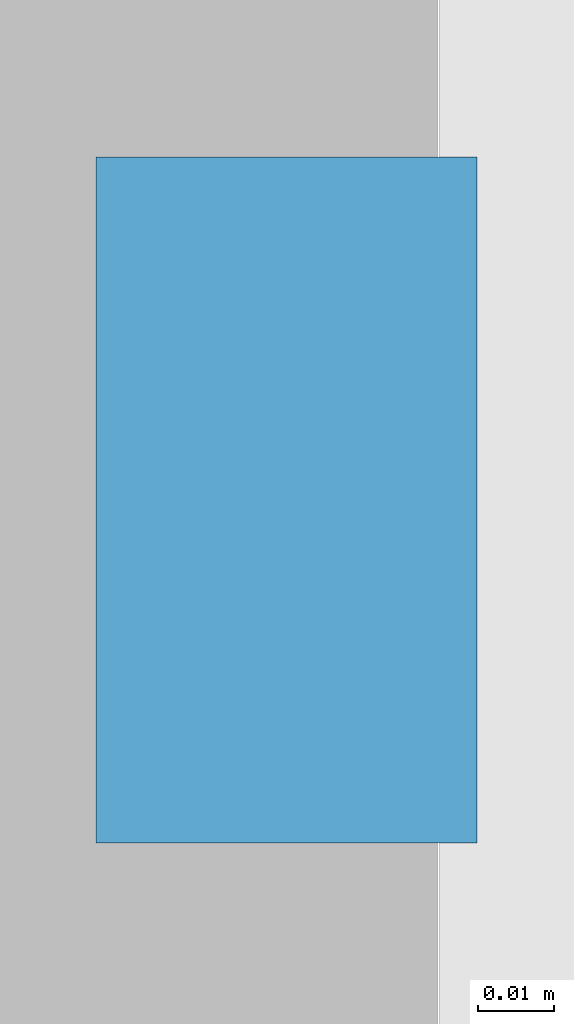
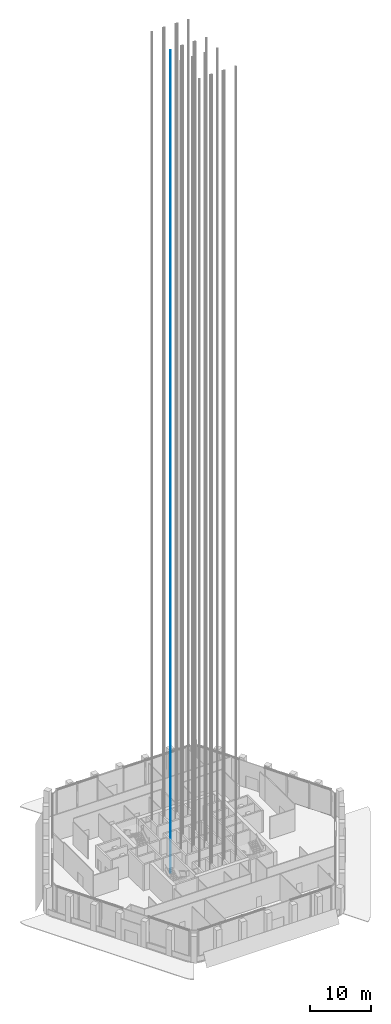
# One storey, part 27 of 42: 1 discrete accessory.
"""IFC4 building model written with IfcOpenShell, lengths in metres."""

from ifc_helpers import new_model, si_unit, direction, frame, origin, origin_2d, place, context, subcontext, project, spatial, rectangle, extrude, element, save


model = new_model("IFC4")

# Units and contexts
model_context = context("Model", 3, precision=1e-05, world=origin(), true_north=direction((0.0, 1.0)))
body_context = subcontext(model_context, "Body", "Model", "MODEL_VIEW")
ifc_project = project(units=[si_unit("LENGTHUNIT", "METRE"), si_unit("AREAUNIT", "SQUARE_METRE"), si_unit("VOLUMEUNIT", "CUBIC_METRE"), si_unit("PLANEANGLEUNIT", "RADIAN"), si_unit("MASSUNIT", "GRAM", prefix="KILO")], contexts=[model_context])

# Site, building, storey
site_placement = place(None, origin())
site = spatial("IfcSite", under=ifc_project, at=site_placement, CompositionType="ELEMENT")
building_placement = place(site_placement, origin())
building = spatial("IfcBuilding", under=site, at=building_placement, Name="Kolab Exchange Tower", CompositionType="ELEMENT")
storey_placement = place(building_placement, frame((0.0, 0.0, 133.39990234375)))
storey = spatial("IfcBuildingStorey", under=building, at=storey_placement, Name="L26", CompositionType="ELEMENT", Elevation=133.39990234375)

# Discrete accessory
discrete_accessory_placement = place(storey_placement, frame((-3.469970703125, 1.800048828125, -1.599853515625), z_axis=(0.0, 0.0, 1.0), x_axis=(1.0, 0.0, 0.0)))
element("IfcDiscreteAccessory", 1, at=discrete_accessory_placement, inside=storey, Name="Guide rail HR4-1", ObjectType="GUIDE RAIL", PredefinedType="USERDEFINED", context=body_context, shape_type="SweptSolid", body=[
    extrude(rectangle(XDim=0.050048828125, YDim=0.090087890625, at=origin_2d()), origin(), (0.0, 0.0, 1.0), 165.60009765625),
])

save(model, "model.ifc")
